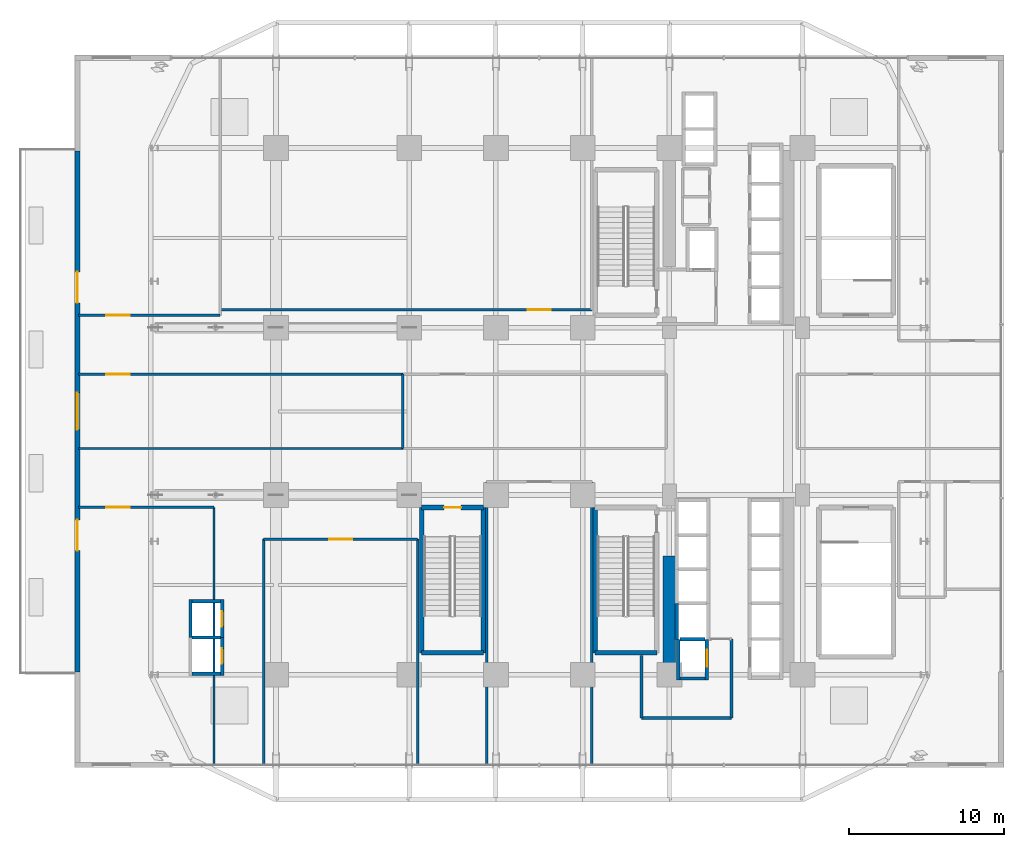
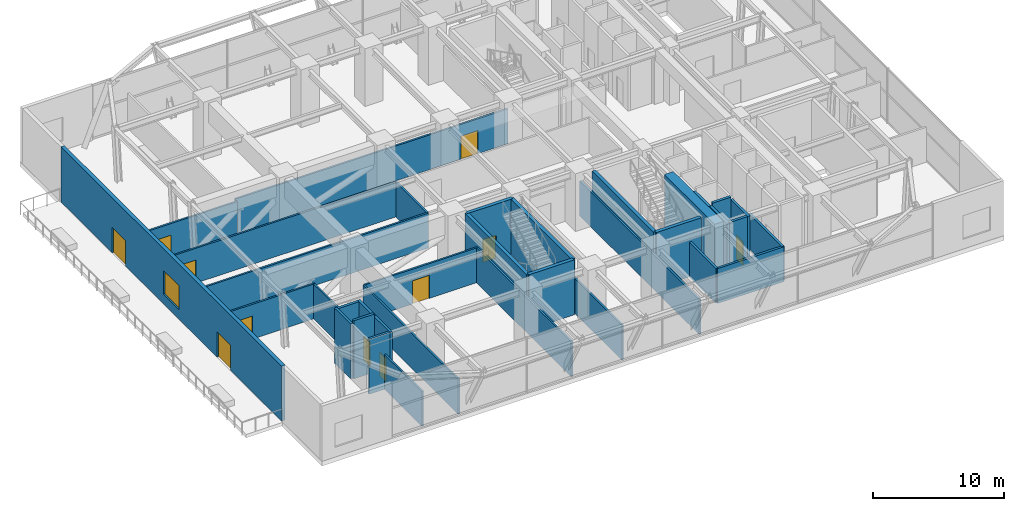
# One storey, part 20 of 29: 34 walls, 11 doors, 1 window, 12 openings.
"""IFC4 building model written with IfcOpenShell, lengths in metres."""

from ifc_helpers import new_model, si_unit, direction, frame, frame_2d, origin, place, context, subcontext, project, spatial, rectangle, extrude, source, transform, mapped, material, layer, layer_set, type_object, element, fill, save


model = new_model("IFC4")

# Units and contexts
model_context = context("Model", 3, precision=1e-05, world=origin(), true_north=direction((0.0, 1.0)))
body_context = subcontext(model_context, "Body", "Model", "MODEL_VIEW")
ifc_project = project(units=[si_unit("LENGTHUNIT", "METRE"), si_unit("AREAUNIT", "SQUARE_METRE"), si_unit("VOLUMEUNIT", "CUBIC_METRE"), si_unit("PLANEANGLEUNIT", "RADIAN"), si_unit("MASSUNIT", "GRAM", prefix="KILO")], contexts=[model_context])

# Site, building, storey
site_placement = place(None, origin())
site = spatial("IfcSite", under=ifc_project, at=site_placement, CompositionType="ELEMENT")
building_placement = place(site_placement, origin())
building = spatial("IfcBuilding", under=site, at=building_placement, Name="Nahalor Promenade Grand Hotel", CompositionType="ELEMENT")
storey_placement = place(building_placement, frame((0.0, 0.0, 27.0)))
storey = spatial("IfcBuildingStorey", under=building, at=storey_placement, Name="L05", CompositionType="ELEMENT", Elevation=27.0)

# Walls
ifc_material_1 = material(Name="Concrete B-70 (C60/75)", Category="concrete")
ifc_layer_1 = layer(ifc_material_1, 0.800048828125)
ifc_layer_set_1 = layer_set([ifc_layer_1], Name="Concrete B-70 (C60/75)")
wall_type_1 = type_object("IfcWallType", Name="Wall-CoreShear-800", PredefinedType="SHEAR", material=ifc_layer_set_1)
shared_shape_1 = source(origin(), body_context, "Body", "SweptSolid", [
    extrude(rectangle(XDim=7.64990234375, YDim=0.800048828125, at=frame_2d((3.824951171875, 0.0))), origin(), (0.0, 0.0, 1.0), 5.1201171875),
])
wall_1_placement = place(storey_placement, frame((8.39990234375, -17.0, 0.0), z_axis=(0.0, 0.0, 1.0), x_axis=(0.0, 1.0, 0.0)))
element("IfcWall", 1, at=wall_1_placement, inside=storey, type_object=wall_type_1, Name="CWALL-L05-SW", PredefinedType="SHEAR", context=body_context, shape_type="MappedRepresentation", body=[
    mapped(shared_shape_1, transform((0.0, 0.0, 0.0), scale=1.0)),
])
ifc_material_2 = material(Name="Concrete B-50 (C40/50)", Category="concrete")
ifc_layer_2 = layer(ifc_material_2, 0.300048828125)
ifc_layer_set_2 = layer_set([ifc_layer_2], Name="Concrete B-50 (C40/50)")
wall_type_2 = type_object("IfcWallType", Name="Wall-ShaftShear-300", PredefinedType="SHEAR", material=ifc_layer_set_2)
shared_shape_2 = source(origin(), body_context, "Body", "SweptSolid", [
    extrude(rectangle(XDim=3.97998046875, YDim=0.300048828125, at=frame_2d((1.989990234375, 0.0))), origin(), (0.0, 0.0, 1.0), 5.1201171875),
])
for number, where, z_axis, x_axis, name in (
    (2, (3.610107421875, -15.590087890625, 0.0), (0.0, 0.0, 1.0), (1.0, 0.0, 0.0), "L05 Exit Stair ST2 Shaft Wall S"),
    (3, (-7.590087890625, -15.590087890625, 0.0), (0.0, 0.0, 1.0), (1.0, 0.0, 0.0), "L05 Exit Stair ST3 Shaft Wall S"),
):
    element("IfcWall", number, at=place(storey_placement, frame(where, z_axis=z_axis, x_axis=x_axis)), inside=storey, type_object=wall_type_2, Name=name, PredefinedType="SHEAR", context=body_context, shape_type="MappedRepresentation", body=[
        mapped(shared_shape_2, transform((0.0, 0.0, 0.0), scale=1.0)),
    ])

# Wall, opening, door
wall_2_placement = place(storey_placement, frame((-7.590087890625, -6.2099609375, 0.0), z_axis=(0.0, 0.0, 1.0), x_axis=(1.0, 0.0, 0.0)))
wall_2 = element("IfcWall", 4, at=wall_2_placement, inside=storey, type_object=wall_type_2, Name="L05 Exit Stair ST3 Shaft Wall N", PredefinedType="SHEAR", context=body_context, shape_type="MappedRepresentation", body=[
    mapped(shared_shape_2, transform((0.0, 0.0, 0.0), scale=1.0)),
])
opening_1_placement = place(wall_2_placement, frame((1.43994140625, 0.0, 0.0)))
opening_1 = element("IfcOpeningElement", 5, at=opening_1_placement, cuts=wall_2, Name="Opening D-ST1", PredefinedType="OPENING", context=body_context, shape_type="SweptSolid", body=[
    extrude(rectangle(XDim=1.10009765625, YDim=2.14990234375, at=frame_2d((0.550048828125, 1.074951171875))), frame((0.0, 0.159912109375, 0.0), z_axis=(0.0, -1.0, 0.0), x_axis=(1.0, 0.0, 0.0)), (0.0, 0.0, 1.0), 0.320068359375),
])
ifc_material_3 = material(Name="Steel S355JR", Category="steel")
door_type_1 = type_object("IfcDoorType", Name="Door-StairFire-1100", OperationType="NOTDEFINED", PredefinedType="DOOR", material=ifc_material_3)
shared_shape_3 = source(origin(), body_context, "Body", "SweptSolid", [
    extrude(rectangle(XDim=1.10009765625, YDim=2.14990234375, at=frame_2d((0.550048828125, 1.074951171875))), frame((0.0, 0.02490234375, 0.0), z_axis=(0.0, -1.0, 0.0), x_axis=(1.0, 0.0, 0.0)), (0.0, 0.0, 1.0), 0.050048828125),
])
door_1_placement = place(opening_1_placement, frame((1.10009765625, 0.0, 0.0), z_axis=(0.0, 0.0, 1.0), x_axis=(-1.0, 0.0, 0.0)))
door_1 = element("IfcDoor", 6, at=door_1_placement, inside=storey, type_object=door_type_1, Name="DR-STAIR-ST3-L05", OperationType="SINGLE_SWING_RIGHT", OverallHeight=2.14990234375, OverallWidth=1.10009765625, PredefinedType="DOOR", context=body_context, shape_type="MappedRepresentation", body=[
    mapped(shared_shape_3, transform((0.0, 0.0, 0.0), scale=1.0)),
])
fill(opening_1, door_1)

# Walls
shared_shape_4 = source(origin(), body_context, "Body", "SweptSolid", [
    extrude(rectangle(XDim=9.380126953125, YDim=0.300048828125, at=frame_2d((4.68994140625, 0.0))), origin(), (0.0, 0.0, 1.0), 5.1201171875),
])
for number, where, z_axis, x_axis, name in (
    (7, (3.610107421875, -15.590087890625, 0.0), (0.0, 0.0, 1.0), (0.0, 1.0, 0.0), "L05 Exit Stair ST2 Shaft Wall W"),
    (8, (-7.590087890625, -15.590087890625, 0.0), (0.0, 0.0, 1.0), (0.0, 1.0, 0.0), "L05 Exit Stair ST3 Shaft Wall W"),
    (9, (-3.610107421875, -15.590087890625, 0.0), (0.0, 0.0, 1.0), (0.0, 1.0, 0.0), "L05 Exit Stair ST3 Shaft Wall E"),
):
    element("IfcWall", number, at=place(storey_placement, frame(where, z_axis=z_axis, x_axis=x_axis)), inside=storey, type_object=wall_type_2, Name=name, PredefinedType="SHEAR", context=body_context, shape_type="MappedRepresentation", body=[
        mapped(shared_shape_4, transform((0.0, 0.0, 0.0), scale=1.0)),
    ])
ifc_layer_3 = layer(ifc_material_2, 0.219970703125)
ifc_layer_set_3 = layer_set([ifc_layer_3], Name="Concrete B-50 (C40/50)")
wall_type_3 = type_object("IfcWallType", Name="Wall-LiftShaft-220", PredefinedType="SHEAR", material=ifc_layer_set_3)
shared_shape_5 = source(origin(), body_context, "Body", "SweptSolid", [
    extrude(rectangle(XDim=2.3251953125, YDim=0.219970703125, at=frame_2d((1.16259765625, 0.0))), origin(), (0.0, 0.0, 1.0), 5.1201171875),
])
wall_3_placement = place(storey_placement, frame((8.8798828125, -14.72509765625, 0.0), z_axis=(0.0, 0.0, 1.0), x_axis=(0.0, 1.0, 0.0)))
element("IfcWall", 10, at=wall_3_placement, inside=storey, type_object=wall_type_3, Name="L05 Lift PL12 Hoistway Wall W", PredefinedType="SHEAR", context=body_context, shape_type="MappedRepresentation", body=[
    mapped(shared_shape_5, transform((0.0, 0.0, 0.0), scale=1.0)),
])
shared_shape_6 = source(origin(), body_context, "Body", "SweptSolid", [
    extrude(rectangle(XDim=1.619873046875, YDim=0.219970703125, at=frame_2d((0.81005859375, 0.0))), origin(), (0.0, 0.0, 1.0), 5.39990234375),
])
wall_4_placement = place(storey_placement, frame((9.090087890625, -14.72509765625, 0.0), z_axis=(0.0, 0.0, 1.0), x_axis=(1.0, 0.0, 0.0)))
element("IfcWall", 11, at=wall_4_placement, inside=storey, type_object=wall_type_3, Name="L05 Lift FL2 Hoistway Wall N", PredefinedType="SHEAR", context=body_context, shape_type="MappedRepresentation", body=[
    mapped(shared_shape_6, transform((0.0, 0.0, 0.0), scale=1.0)),
])
shared_shape_7 = source(origin(), body_context, "Body", "SweptSolid", [
    extrude(rectangle(XDim=2.635009765625, YDim=0.219970703125, at=frame_2d((1.3173828125, 0.0))), origin(), (0.0, 0.0, 1.0), 5.1201171875),
])
wall_5_placement = place(storey_placement, frame((8.97998046875, -17.360107421875, 0.0), z_axis=(0.0, 0.0, 1.0), x_axis=(0.0, 1.0, 0.0)))
element("IfcWall", 12, at=wall_5_placement, inside=storey, type_object=wall_type_3, Name="L05 Lift FL2 Hoistway Wall W", PredefinedType="SHEAR", context=body_context, shape_type="MappedRepresentation", body=[
    mapped(shared_shape_7, transform((0.0, 0.0, 0.0), scale=1.0)),
])

# Wall, opening, door
wall_6_placement = place(storey_placement, frame((10.820068359375, -17.360107421875, 0.0), z_axis=(0.0, 0.0, 1.0), x_axis=(0.0, 1.0, 0.0)))
wall_6 = element("IfcWall", 13, at=wall_6_placement, inside=storey, type_object=wall_type_3, Name="L05 Lift FL2 Hoistway Wall E", PredefinedType="SHEAR", context=body_context, shape_type="MappedRepresentation", body=[
    mapped(shared_shape_7, transform((0.0, 0.0, 0.0), scale=1.0)),
])
opening_2_placement = place(wall_6_placement, frame((0.860107421875, 0.0, 0.0)))
opening_2 = element("IfcOpeningElement", 14, at=opening_2_placement, cuts=wall_6, Name="Opening LD-02", PredefinedType="OPENING", context=body_context, shape_type="SweptSolid", body=[
    extrude(rectangle(XDim=1.10009765625, YDim=2.199951171875, at=frame_2d((0.550048828125, 1.10009765625))), frame((0.0, 0.119873046875, 0.0), z_axis=(0.0, -1.0, 0.0), x_axis=(1.0, 0.0, 0.0)), (0.0, 0.0, 1.0), 0.239990234375),
])
door_type_2 = type_object("IfcDoorType", Name="Door-LiftFF-1100", OperationType="DOUBLE_DOOR_SLIDING", PredefinedType="DOOR", material=ifc_material_3)
shared_shape_8 = source(origin(), body_context, "Body", "SweptSolid", [
    extrude(rectangle(XDim=1.10009765625, YDim=2.199951171875, at=frame_2d((0.550048828125, 1.10009765625))), frame((0.0, 0.02490234375, 0.0), z_axis=(0.0, -1.0, 0.0), x_axis=(1.0, 0.0, 0.0)), (0.0, 0.0, 1.0), 0.050048828125),
])
door_2_placement = place(opening_2_placement, frame((1.10009765625, 0.0, 0.0), z_axis=(0.0, 0.0, 1.0), x_axis=(-1.0, 0.0, 0.0)))
door_2 = element("IfcDoor", 15, at=door_2_placement, inside=storey, type_object=door_type_2, Name="DR-LIFT-FL2-L05", OperationType="DOUBLE_DOOR_SLIDING", OverallHeight=2.199951171875, OverallWidth=1.10009765625, PredefinedType="DOOR", context=body_context, shape_type="MappedRepresentation", body=[
    mapped(shared_shape_8, transform((0.0, 0.0, 0.0), scale=1.0)),
])
fill(opening_2, door_2)

# Walls
shared_shape_9 = source(origin(), body_context, "Body", "SweptSolid", [
    extrude(rectangle(XDim=1.619873046875, YDim=0.219970703125, at=frame_2d((0.81005859375, 0.0))), origin(), (0.0, 0.0, 1.0), 5.1201171875),
])
wall_7_placement = place(storey_placement, frame((9.090087890625, -17.25, 0.0), z_axis=(0.0, 0.0, 1.0), x_axis=(1.0, 0.0, 0.0)))
element("IfcWall", 16, at=wall_7_placement, inside=storey, type_object=wall_type_3, Name="L05 Lift FL2 Hoistway Wall S", PredefinedType="SHEAR", context=body_context, shape_type="MappedRepresentation", body=[
    mapped(shared_shape_9, transform((0.0, 0.0, 0.0), scale=1.0)),
])
shared_shape_10 = source(origin(), body_context, "Body", "SweptSolid", [
    extrude(rectangle(XDim=1.81982421875, YDim=0.219970703125, at=frame_2d((0.909912109375, 0.0))), origin(), (0.0, 0.0, 1.0), 5.39990234375),
])
wall_8_placement = place(storey_placement, frame((-22.409912109375, -14.60009765625, 0.0), z_axis=(0.0, 0.0, 1.0), x_axis=(1.0, 0.0, 0.0)))
element("IfcWall", 17, at=wall_8_placement, inside=storey, type_object=wall_type_3, Name="L05 Lift PD1 Hoistway Wall N", PredefinedType="SHEAR", context=body_context, shape_type="MappedRepresentation", body=[
    mapped(shared_shape_10, transform((0.0, 0.0, 0.0), scale=1.0)),
])

# Wall, opening, door
shared_shape_11 = source(origin(), body_context, "Body", "SweptSolid", [
    extrude(rectangle(XDim=2.4599609375, YDim=0.219970703125, at=frame_2d((1.22998046875, 0.0))), origin(), (0.0, 0.0, 1.0), 5.1201171875),
])
wall_9_placement = place(storey_placement, frame((-20.47998046875, -17.06005859375, 0.0), z_axis=(0.0, 0.0, 1.0), x_axis=(0.0, 1.0, 0.0)))
wall_9 = element("IfcWall", 18, at=wall_9_placement, inside=storey, type_object=wall_type_3, Name="L05 Lift PD1 Hoistway Wall E", PredefinedType="SHEAR", context=body_context, shape_type="MappedRepresentation", body=[
    mapped(shared_shape_11, transform((0.0, 0.0, 0.0), scale=1.0)),
])
opening_3_placement = place(wall_9_placement, frame((0.760009765625, 0.0, 0.0)))
opening_3 = element("IfcOpeningElement", 19, at=opening_3_placement, cuts=wall_9, Name="Opening LD-01", PredefinedType="OPENING", context=body_context, shape_type="SweptSolid", body=[
    extrude(rectangle(XDim=1.0, YDim=2.199951171875, at=frame_2d((0.5, 1.10009765625))), frame((0.0, 0.119873046875, 0.0), z_axis=(0.0, -1.0, 0.0), x_axis=(1.0, 0.0, 0.0)), (0.0, 0.0, 1.0), 0.239990234375),
])
door_type_3 = type_object("IfcDoorType", Name="Door-LiftLanding-1000", OperationType="DOUBLE_DOOR_SLIDING", PredefinedType="DOOR", material=ifc_material_3)
shared_shape_12 = source(origin(), body_context, "Body", "SweptSolid", [
    extrude(rectangle(XDim=1.0, YDim=2.199951171875, at=frame_2d((0.5, 1.10009765625))), frame((0.0, 0.02490234375, 0.0), z_axis=(0.0, -1.0, 0.0), x_axis=(1.0, 0.0, 0.0)), (0.0, 0.0, 1.0), 0.050048828125),
])
door_3_placement = place(opening_3_placement, frame((1.0, 0.0, 0.0), z_axis=(0.0, 0.0, 1.0), x_axis=(-1.0, 0.0, 0.0)))
door_3 = element("IfcDoor", 20, at=door_3_placement, inside=storey, type_object=door_type_3, Name="DR-LIFT-PD1-L05", OperationType="DOUBLE_DOOR_SLIDING", OverallHeight=2.199951171875, OverallWidth=1.0, PredefinedType="DOOR", context=body_context, shape_type="MappedRepresentation", body=[
    mapped(shared_shape_12, transform((0.0, 0.0, 0.0), scale=1.0)),
])
fill(opening_3, door_3)

# Walls
shared_shape_13 = source(origin(), body_context, "Body", "SweptSolid", [
    extrude(rectangle(XDim=1.81982421875, YDim=0.219970703125, at=frame_2d((0.909912109375, 0.0))), origin(), (0.0, 0.0, 1.0), 5.1201171875),
])
for number, where, z_axis, x_axis, name in (
    (21, (-22.409912109375, -16.949951171875, 0.0), (0.0, 0.0, 1.0), (1.0, 0.0, 0.0), "L05 Lift PD1 Hoistway Wall S"),
    (22, (-22.409912109375, -12.25, 0.0), (0.0, 0.0, 1.0), (1.0, 0.0, 0.0), "L05 Lift PD2 Hoistway Wall N"),
):
    element("IfcWall", number, at=place(storey_placement, frame(where, z_axis=z_axis, x_axis=x_axis)), inside=storey, type_object=wall_type_3, Name=name, PredefinedType="SHEAR", context=body_context, shape_type="MappedRepresentation", body=[
        mapped(shared_shape_13, transform((0.0, 0.0, 0.0), scale=1.0)),
    ])
shared_shape_14 = source(origin(), body_context, "Body", "SweptSolid", [
    extrude(rectangle(XDim=2.460205078125, YDim=0.219970703125, at=frame_2d((1.22998046875, 0.0))), origin(), (0.0, 0.0, 1.0), 5.1201171875),
])
wall_10_placement = place(storey_placement, frame((-22.52001953125, -14.60009765625, 0.0), z_axis=(0.0, 0.0, 1.0), x_axis=(0.0, 1.0, 0.0)))
element("IfcWall", 23, at=wall_10_placement, inside=storey, type_object=wall_type_3, Name="L05 Lift PD2 Hoistway Wall W", PredefinedType="SHEAR", context=body_context, shape_type="MappedRepresentation", body=[
    mapped(shared_shape_14, transform((0.0, 0.0, 0.0), scale=1.0)),
])

# Wall, opening, door
wall_11_placement = place(storey_placement, frame((-20.47998046875, -14.60009765625, 0.0), z_axis=(0.0, 0.0, 1.0), x_axis=(0.0, 1.0, 0.0)))
wall_11 = element("IfcWall", 24, at=wall_11_placement, inside=storey, type_object=wall_type_3, Name="L05 Lift PD2 Hoistway Wall E", PredefinedType="SHEAR", context=body_context, shape_type="MappedRepresentation", body=[
    mapped(shared_shape_14, transform((0.0, 0.0, 0.0), scale=1.0)),
])
opening_4_placement = place(wall_11_placement, frame((0.699951171875, 0.0, 0.0)))
opening_4 = element("IfcOpeningElement", 25, at=opening_4_placement, cuts=wall_11, Name="Opening LD-01", PredefinedType="OPENING", context=body_context, shape_type="SweptSolid", body=[
    extrude(rectangle(XDim=1.0, YDim=2.199951171875, at=frame_2d((0.5, 1.10009765625))), frame((0.0, 0.119873046875, 0.0), z_axis=(0.0, -1.0, 0.0), x_axis=(1.0, 0.0, 0.0)), (0.0, 0.0, 1.0), 0.239990234375),
])
door_4_placement = place(opening_4_placement, frame((1.0, 0.0, 0.0), z_axis=(0.0, 0.0, 1.0), x_axis=(-1.0, 0.0, 0.0)))
door_4 = element("IfcDoor", 26, at=door_4_placement, inside=storey, type_object=door_type_3, Name="DR-LIFT-PD2-L05", OperationType="DOUBLE_DOOR_SLIDING", OverallHeight=2.199951171875, OverallWidth=1.0, PredefinedType="DOOR", context=body_context, shape_type="MappedRepresentation", body=[
    mapped(shared_shape_12, transform((0.0, 0.0, 0.0), scale=1.0)),
])
fill(opening_4, door_4)

# Wall, openings, window, doors
ifc_material_4 = material(Name="Concrete B-40 (C32/40)", Category="concrete")
ifc_layer_4 = layer(ifc_material_4, 0.320068359375)
ifc_layer_set_4 = layer_set([ifc_layer_4], Name="Concrete B-40 (C32/40)")
wall_type_4 = type_object("IfcWallType", Name="Wall-LimestonePier-320", PredefinedType="STANDARD", material=ifc_layer_set_4)
shared_shape_15 = source(origin(), body_context, "Body", "SweptSolid", [
    extrude(rectangle(XDim=33.64013671875, YDim=0.320068359375, at=frame_2d((16.820068359375, 0.0))), origin(), (0.0, 0.0, 1.0), 5.1201171875),
])
wall_12_placement = place(storey_placement, frame((-29.820068359375, -16.820068359375, 0.0), z_axis=(0.0, 0.0, 1.0), x_axis=(0.0, 1.0, 0.0)))
wall_12 = element("IfcWall", 27, at=wall_12_placement, inside=storey, type_object=wall_type_4, Name="W-L05-TERR-W", PredefinedType="STANDARD", context=body_context, shape_type="MappedRepresentation", body=[
    mapped(shared_shape_15, transform((0.0, 0.0, 0.0), scale=1.0)),
])
opening_5_placement = place(wall_12_placement, frame((7.820068359375, 0.0, 0.0)))
opening_5 = element("IfcOpeningElement", 28, at=opening_5_placement, cuts=wall_12, Name="Opening D-TR1", PredefinedType="OPENING", context=body_context, shape_type="SweptSolid", body=[
    extrude(rectangle(XDim=2.0, YDim=2.35009765625, at=frame_2d((1.0, 1.175048828125))), frame((0.0, 0.169921875, 0.0), z_axis=(0.0, -1.0, 0.0), x_axis=(1.0, 0.0, 0.0)), (0.0, 0.0, 1.0), 0.340087890625),
])
opening_6_placement = place(wall_12_placement, frame((23.820068359375, 0.0, 0.0)))
opening_6 = element("IfcOpeningElement", 29, at=opening_6_placement, cuts=wall_12, Name="Opening D-TR1", PredefinedType="OPENING", context=body_context, shape_type="SweptSolid", body=[
    extrude(rectangle(XDim=2.0, YDim=2.35009765625, at=frame_2d((1.0, 1.175048828125))), frame((0.0, 0.169921875, 0.0), z_axis=(0.0, -1.0, 0.0), x_axis=(1.0, 0.0, 0.0)), (0.0, 0.0, 1.0), 0.340087890625),
])
opening_7_placement = place(wall_12_placement, frame((15.6201171875, 0.0, 0.89990234375)))
opening_7 = element("IfcOpeningElement", 30, at=opening_7_placement, cuts=wall_12, Name="Opening WN-02", PredefinedType="OPENING", context=body_context, shape_type="SweptSolid", body=[
    extrude(rectangle(XDim=2.39990234375, YDim=2.199951171875, at=frame_2d((1.199951171875, 1.10009765625))), frame((0.0, 0.169921875, 0.0), z_axis=(0.0, -1.0, 0.0), x_axis=(1.0, 0.0, 0.0)), (0.0, 0.0, 1.0), 0.340087890625),
])
ifc_material_5 = material(Name="Low-E Laminated Solar Glass", Category="glass")
window_type = type_object("IfcWindowType", Name="Win-PodiumArch-2400x2200", PartitioningType="SINGLE_PANEL", PredefinedType="WINDOW", material=ifc_material_5)
shared_shape_16 = source(origin(), body_context, "Body", "SweptSolid", [
    extrude(rectangle(XDim=2.39990234375, YDim=2.199951171875, at=frame_2d((1.199951171875, 1.10009765625))), frame((0.0, 0.030029296875, 0.0), z_axis=(0.0, -1.0, 0.0), x_axis=(1.0, 0.0, 0.0)), (0.0, 0.0, 1.0), 0.06005859375),
])
window_placement = place(opening_7_placement, origin())
window = element("IfcWindow", 31, at=window_placement, inside=storey, type_object=window_type, Name="WN-L05-TERR-M", OverallHeight=2.199951171875, OverallWidth=2.39990234375, PartitioningType="SINGLE_PANEL", PredefinedType="WINDOW", context=body_context, shape_type="MappedRepresentation", body=[
    mapped(shared_shape_16, transform((0.0, 0.0, 0.0), scale=1.0)),
])
fill(opening_7, window)
ifc_material_6 = material(Name="Anodised Bronze Aluminium EN AW-6063 T6", Category="aluminium")
door_type_4 = type_object("IfcDoorType", Name="Door-TerraceDouble-2000", OperationType="DOUBLE_DOOR_SINGLE_SWING", PredefinedType="DOOR", material=ifc_material_6)
shared_shape_17 = source(origin(), body_context, "Body", "SweptSolid", [
    extrude(rectangle(XDim=2.0, YDim=2.35009765625, at=frame_2d((1.0, 1.175048828125))), frame((0.0, 0.02490234375, 0.0), z_axis=(0.0, -1.0, 0.0), x_axis=(1.0, 0.0, 0.0)), (0.0, 0.0, 1.0), 0.050048828125),
])
door_5_placement = place(opening_5_placement, origin())
door_5 = element("IfcDoor", 32, at=door_5_placement, inside=storey, type_object=door_type_4, Name="DR-L05-TERR-1", OperationType="DOUBLE_DOOR_SINGLE_SWING", OverallHeight=2.35009765625, OverallWidth=2.0, PredefinedType="DOOR", context=body_context, shape_type="MappedRepresentation", body=[
    mapped(shared_shape_17, transform((0.0, 0.0, 0.0), scale=1.0)),
])
fill(opening_5, door_5)
door_6_placement = place(opening_6_placement, origin())
door_6 = element("IfcDoor", 33, at=door_6_placement, inside=storey, type_object=door_type_4, Name="DR-L05-TERR-2", OperationType="DOUBLE_DOOR_SINGLE_SWING", OverallHeight=2.35009765625, OverallWidth=2.0, PredefinedType="DOOR", context=body_context, shape_type="MappedRepresentation", body=[
    mapped(shared_shape_17, transform((0.0, 0.0, 0.0), scale=1.0)),
])
fill(opening_6, door_6)

# Walls
ifc_layer_5 = layer(ifc_material_4, 0.199951171875)
ifc_layer_set_5 = layer_set([ifc_layer_5], Name="Concrete B-40 (C32/40)")
wall_type_5 = type_object("IfcWallType", Name="Wall-PartFire-200", PredefinedType="PARTITIONING", material=ifc_layer_set_5)
shared_shape_18 = source(origin(), body_context, "Body", "SweptSolid", [
    extrude(rectangle(XDim=5.81982421875, YDim=0.199951171875, at=frame_2d((2.909912109375, 0.0))), origin(), (0.0, 0.0, 1.0), 3.239990234375),
])
wall_13_placement = place(storey_placement, frame((6.60009765625, -19.800048828125, 0.0), z_axis=(0.0, 0.0, 1.0), x_axis=(1.0, 0.0, 0.0)))
element("IfcWall", 34, at=wall_13_placement, inside=storey, type_object=wall_type_5, Name="W-L05-FF2-S1", PredefinedType="PARTITIONING", context=body_context, shape_type="MappedRepresentation", body=[
    mapped(shared_shape_18, transform((0.0, 0.0, 0.0), scale=1.0)),
])
shared_shape_19 = source(origin(), body_context, "Body", "SweptSolid", [
    extrude(rectangle(XDim=4.030029296875, YDim=0.199951171875, at=frame_2d((2.01513671875, 0.0))), origin(), (0.0, 0.0, 1.0), 3.239990234375),
])
wall_14_placement = place(storey_placement, frame((6.60009765625, -19.800048828125, 0.0), z_axis=(0.0, 0.0, 1.0), x_axis=(0.0, 1.0, 0.0)))
element("IfcWall", 35, at=wall_14_placement, inside=storey, type_object=wall_type_5, Name="W-L05-FF2-W1", PredefinedType="PARTITIONING", context=body_context, shape_type="MappedRepresentation", body=[
    mapped(shared_shape_19, transform((0.0, 0.0, 0.0), scale=1.0)),
])
shared_shape_20 = source(origin(), body_context, "Body", "SweptSolid", [
    extrude(rectangle(XDim=5.10009765625, YDim=0.199951171875, at=frame_2d((2.550048828125, 0.0))), origin(), (0.0, 0.0, 1.0), 3.239990234375),
])
wall_15_placement = place(storey_placement, frame((12.419921875, -19.800048828125, 0.0), z_axis=(0.0, 0.0, 1.0), x_axis=(0.0, 1.0, 0.0)))
element("IfcWall", 36, at=wall_15_placement, inside=storey, type_object=wall_type_5, Name="W-L05-FF2-E", PredefinedType="PARTITIONING", context=body_context, shape_type="MappedRepresentation", body=[
    mapped(shared_shape_20, transform((0.0, 0.0, 0.0), scale=1.0)),
])
ifc_material_7 = material(Name="Acoustic Mineral Gypsum", Category="gypsum")
ifc_layer_6 = layer(ifc_material_7, 0.159912109375)
ifc_layer_set_6 = layer_set([ifc_layer_6], Name="Acoustic Mineral Gypsum")
wall_type_6 = type_object("IfcWallType", Name="Wall-PartCorridor-160", PredefinedType="PARTITIONING", material=ifc_layer_set_6)
shared_shape_21 = source(origin(), body_context, "Body", "SweptSolid", [
    extrude(rectangle(XDim=20.9599609375, YDim=0.159912109375, at=frame_2d((10.47998046875, 0.0))), origin(), (0.0, 0.0, 1.0), 3.239990234375),
])
wall_16_placement = place(storey_placement, frame((-29.760009765625, -2.39990234375, 0.0), z_axis=(0.0, 0.0, 1.0), x_axis=(1.0, 0.0, 0.0)))
element("IfcWall", 37, at=wall_16_placement, inside=storey, type_object=wall_type_6, Name="W-L05-PR01-S", PredefinedType="PARTITIONING", context=body_context, shape_type="MappedRepresentation", body=[
    mapped(shared_shape_21, transform((0.0, 0.0, 0.0), scale=1.0)),
])

# Wall, opening, door
wall_17_placement = place(storey_placement, frame((-29.760009765625, 2.39990234375, 0.0), z_axis=(0.0, 0.0, 1.0), x_axis=(1.0, 0.0, 0.0)))
wall_17 = element("IfcWall", 38, at=wall_17_placement, inside=storey, type_object=wall_type_6, Name="W-L05-PR01-N", PredefinedType="PARTITIONING", context=body_context, shape_type="MappedRepresentation", body=[
    mapped(shared_shape_21, transform((0.0, 0.0, 0.0), scale=1.0)),
])
opening_8_placement = place(wall_17_placement, frame((1.81005859375, 0.0, 0.0)))
opening_8 = element("IfcOpeningElement", 39, at=opening_8_placement, cuts=wall_17, Name="Opening D-02", PredefinedType="OPENING", context=body_context, shape_type="SweptSolid", body=[
    extrude(rectangle(XDim=1.5, YDim=2.14990234375, at=frame_2d((0.75, 1.074951171875))), frame((0.0, 0.08984375, 0.0), z_axis=(0.0, -1.0, 0.0), x_axis=(1.0, 0.0, 0.0)), (0.0, 0.0, 1.0), 0.179931640625),
])
ifc_material_8 = material(Name="Fire-Rated Timber Composite", Category="wood")
door_type_5 = type_object("IfcDoorType", Name="Door-SuiteDouble-1500", OperationType="DOUBLE_DOOR_SINGLE_SWING", PredefinedType="DOOR", material=ifc_material_8)
shared_shape_22 = source(origin(), body_context, "Body", "SweptSolid", [
    extrude(rectangle(XDim=1.5, YDim=2.14990234375, at=frame_2d((0.75, 1.074951171875))), frame((0.0, 0.02490234375, 0.0), z_axis=(0.0, -1.0, 0.0), x_axis=(1.0, 0.0, 0.0)), (0.0, 0.0, 1.0), 0.050048828125),
])
door_7_placement = place(opening_8_placement, frame((1.5, 0.0, 0.0), z_axis=(0.0, 0.0, 1.0), x_axis=(-1.0, 0.0, 0.0)))
door_7 = element("IfcDoor", 40, at=door_7_placement, inside=storey, type_object=door_type_5, Name="DR-L05-PR01", OperationType="DOUBLE_DOOR_SINGLE_SWING", OverallHeight=2.14990234375, OverallWidth=1.5, PredefinedType="DOOR", context=body_context, shape_type="MappedRepresentation", body=[
    mapped(shared_shape_22, transform((0.0, 0.0, 0.0), scale=1.0)),
])
fill(opening_8, door_7)

# Wall
shared_shape_23 = source(origin(), body_context, "Body", "SweptSolid", [
    extrude(rectangle(XDim=4.7998046875, YDim=0.159912109375, at=frame_2d((2.39990234375, 0.0))), origin(), (0.0, 0.0, 1.0), 3.239990234375),
])
wall_18_placement = place(storey_placement, frame((-8.800048828125, -2.39990234375, 0.0), z_axis=(0.0, 0.0, 1.0), x_axis=(0.0, 1.0, 0.0)))
element("IfcWall", 41, at=wall_18_placement, inside=storey, type_object=wall_type_6, Name="W-L05-PR01-E", PredefinedType="PARTITIONING", context=body_context, shape_type="MappedRepresentation", body=[
    mapped(shared_shape_23, transform((0.0, 0.0, 0.0), scale=1.0)),
])

# Wall, opening, door
shared_shape_24 = source(origin(), body_context, "Body", "SweptSolid", [
    extrude(rectangle(XDim=9.159912109375, YDim=0.159912109375, at=frame_2d((4.580078125, 0.0))), origin(), (0.0, 0.0, 1.0), 3.239990234375),
])
wall_19_placement = place(storey_placement, frame((-29.760009765625, 6.199951171875, 0.0), z_axis=(0.0, 0.0, 1.0), x_axis=(1.0, 0.0, 0.0)))
wall_19 = element("IfcWall", 42, at=wall_19_placement, inside=storey, type_object=wall_type_6, Name="W-L05-PR04-S", PredefinedType="PARTITIONING", context=body_context, shape_type="MappedRepresentation", body=[
    mapped(shared_shape_24, transform((0.0, 0.0, 0.0), scale=1.0)),
])
opening_9_placement = place(wall_19_placement, frame((1.81005859375, 0.0, 0.0)))
opening_9 = element("IfcOpeningElement", 43, at=opening_9_placement, cuts=wall_19, Name="Opening D-02", PredefinedType="OPENING", context=body_context, shape_type="SweptSolid", body=[
    extrude(rectangle(XDim=1.5, YDim=2.14990234375, at=frame_2d((0.75, 1.074951171875))), frame((0.0, 0.08984375, 0.0), z_axis=(0.0, -1.0, 0.0), x_axis=(1.0, 0.0, 0.0)), (0.0, 0.0, 1.0), 0.179931640625),
])
door_8_placement = place(opening_9_placement, origin())
door_8 = element("IfcDoor", 44, at=door_8_placement, inside=storey, type_object=door_type_5, Name="DR-L05-PR04", OperationType="DOUBLE_DOOR_SINGLE_SWING", OverallHeight=2.14990234375, OverallWidth=1.5, PredefinedType="DOOR", context=body_context, shape_type="MappedRepresentation", body=[
    mapped(shared_shape_22, transform((0.0, 0.0, 0.0), scale=1.0)),
])
fill(opening_9, door_8)

# Wall
shared_shape_25 = source(origin(), body_context, "Body", "SweptSolid", [
    extrude(rectangle(XDim=16.56005859375, YDim=0.159912109375, at=frame_2d((8.280029296875, 0.0))), origin(), (0.0, 0.0, 1.0), 3.239990234375),
])
wall_20_placement = place(storey_placement, frame((-21.0, -22.760009765625, 0.0), z_axis=(0.0, 0.0, 1.0), x_axis=(0.0, 1.0, 0.0)))
element("IfcWall", 45, at=wall_20_placement, inside=storey, type_object=wall_type_6, Name="W-L05-PR06-E", PredefinedType="PARTITIONING", context=body_context, shape_type="MappedRepresentation", body=[
    mapped(shared_shape_25, transform((0.0, 0.0, 0.0), scale=1.0)),
])

# Wall, opening, door
shared_shape_26 = source(origin(), body_context, "Body", "SweptSolid", [
    extrude(rectangle(XDim=24.0, YDim=0.159912109375, at=frame_2d((12.0, 0.0))), origin(), (0.0, 0.0, 1.0), 3.239990234375),
])
wall_21_placement = place(storey_placement, frame((-20.60009765625, 6.550048828125, 0.0), z_axis=(0.0, 0.0, 1.0), x_axis=(1.0, 0.0, 0.0)))
wall_21 = element("IfcWall", 46, at=wall_21_placement, inside=storey, type_object=wall_type_6, Name="W-L05-PR05-S", PredefinedType="PARTITIONING", context=body_context, shape_type="MappedRepresentation", body=[
    mapped(shared_shape_26, transform((0.0, 0.0, 0.0), scale=1.0)),
])
opening_10_placement = place(wall_21_placement, frame((19.85009765625, 0.0, 0.0)))
opening_10 = element("IfcOpeningElement", 47, at=opening_10_placement, cuts=wall_21, Name="Opening D-02", PredefinedType="OPENING", context=body_context, shape_type="SweptSolid", body=[
    extrude(rectangle(XDim=1.5, YDim=2.14990234375, at=frame_2d((0.75, 1.074951171875))), frame((0.0, 0.08984375, 0.0), z_axis=(0.0, -1.0, 0.0), x_axis=(1.0, 0.0, 0.0)), (0.0, 0.0, 1.0), 0.179931640625),
])
door_9_placement = place(opening_10_placement, origin())
door_9 = element("IfcDoor", 48, at=door_9_placement, inside=storey, type_object=door_type_5, Name="DR-L05-PR05", OperationType="DOUBLE_DOOR_SINGLE_SWING", OverallHeight=2.14990234375, OverallWidth=1.5, PredefinedType="DOOR", context=body_context, shape_type="MappedRepresentation", body=[
    mapped(shared_shape_22, transform((0.0, 0.0, 0.0), scale=1.0)),
])
fill(opening_10, door_9)

shared_shape_27 = source(origin(), body_context, "Body", "SweptSolid", [
    extrude(rectangle(XDim=8.760009765625, YDim=0.159912109375, at=frame_2d((4.3798828125, 0.0))), origin(), (0.0, 0.0, 1.0), 3.239990234375),
])
wall_22_placement = place(storey_placement, frame((-29.760009765625, -6.199951171875, 0.0), z_axis=(0.0, 0.0, 1.0), x_axis=(1.0, 0.0, 0.0)))
wall_22 = element("IfcWall", 49, at=wall_22_placement, inside=storey, type_object=wall_type_6, Name="W-L05-PR06-N", PredefinedType="PARTITIONING", context=body_context, shape_type="MappedRepresentation", body=[
    mapped(shared_shape_27, transform((0.0, 0.0, 0.0), scale=1.0)),
])
opening_11_placement = place(wall_22_placement, frame((1.81005859375, 0.0, 0.0)))
opening_11 = element("IfcOpeningElement", 50, at=opening_11_placement, cuts=wall_22, Name="Opening D-02", PredefinedType="OPENING", context=body_context, shape_type="SweptSolid", body=[
    extrude(rectangle(XDim=1.5, YDim=2.14990234375, at=frame_2d((0.75, 1.074951171875))), frame((0.0, 0.08984375, 0.0), z_axis=(0.0, -1.0, 0.0), x_axis=(1.0, 0.0, 0.0)), (0.0, 0.0, 1.0), 0.179931640625),
])
door_10_placement = place(opening_11_placement, frame((1.5, 0.0, 0.0), z_axis=(0.0, 0.0, 1.0), x_axis=(-1.0, 0.0, 0.0)))
door_10 = element("IfcDoor", 51, at=door_10_placement, inside=storey, type_object=door_type_5, Name="DR-L05-PR06", OperationType="DOUBLE_DOOR_SINGLE_SWING", OverallHeight=2.14990234375, OverallWidth=1.5, PredefinedType="DOOR", context=body_context, shape_type="MappedRepresentation", body=[
    mapped(shared_shape_22, transform((0.0, 0.0, 0.0), scale=1.0)),
])
fill(opening_11, door_10)

shared_shape_28 = source(origin(), body_context, "Body", "SweptSolid", [
    extrude(rectangle(XDim=9.949951171875, YDim=0.159912109375, at=frame_2d((4.97509765625, 0.0))), origin(), (0.0, 0.0, 1.0), 3.239990234375),
])
wall_23_placement = place(storey_placement, frame((-17.800048828125, -8.25, 0.0), z_axis=(0.0, 0.0, 1.0), x_axis=(1.0, 0.0, 0.0)))
wall_23 = element("IfcWall", 52, at=wall_23_placement, inside=storey, type_object=wall_type_6, Name="W-L05-PR07-N", PredefinedType="PARTITIONING", context=body_context, shape_type="MappedRepresentation", body=[
    mapped(shared_shape_28, transform((0.0, 0.0, 0.0), scale=1.0)),
])
opening_12_placement = place(wall_23_placement, frame((4.22509765625, 0.0, 0.0)))
opening_12 = element("IfcOpeningElement", 53, at=opening_12_placement, cuts=wall_23, Name="Opening D-02", PredefinedType="OPENING", context=body_context, shape_type="SweptSolid", body=[
    extrude(rectangle(XDim=1.5, YDim=2.14990234375, at=frame_2d((0.75, 1.074951171875))), frame((0.0, 0.08984375, 0.0), z_axis=(0.0, -1.0, 0.0), x_axis=(1.0, 0.0, 0.0)), (0.0, 0.0, 1.0), 0.179931640625),
])
door_11_placement = place(opening_12_placement, frame((1.5, 0.0, 0.0), z_axis=(0.0, 0.0, 1.0), x_axis=(-1.0, 0.0, 0.0)))
door_11 = element("IfcDoor", 54, at=door_11_placement, inside=storey, type_object=door_type_5, Name="DR-L05-PR07", OperationType="DOUBLE_DOOR_SINGLE_SWING", OverallHeight=2.14990234375, OverallWidth=1.5, PredefinedType="DOOR", context=body_context, shape_type="MappedRepresentation", body=[
    mapped(shared_shape_22, transform((0.0, 0.0, 0.0), scale=1.0)),
])
fill(opening_12, door_11)

# Walls
shared_shape_29 = source(origin(), body_context, "Body", "SweptSolid", [
    extrude(rectangle(XDim=14.510009765625, YDim=0.159912109375, at=frame_2d((7.2548828125, 0.0))), origin(), (0.0, 0.0, 1.0), 3.239990234375),
])
for number, where, z_axis, x_axis, name in (
    (55, (-17.800048828125, -22.760009765625, 0.0), (0.0, 0.0, 1.0), (0.0, 1.0, 0.0), "W-L05-PR07-W"),
    (56, (-7.85009765625, -22.760009765625, 0.0), (0.0, 0.0, 1.0), (0.0, 1.0, 0.0), "W-L05-PR07-E"),
):
    element("IfcWall", number, at=place(storey_placement, frame(where, z_axis=z_axis, x_axis=x_axis)), inside=storey, type_object=wall_type_6, Name=name, PredefinedType="PARTITIONING", context=body_context, shape_type="MappedRepresentation", body=[
        mapped(shared_shape_29, transform((0.0, 0.0, 0.0), scale=1.0)),
    ])
shared_shape_30 = source(origin(), body_context, "Body", "SweptSolid", [
    extrude(rectangle(XDim=18.2099609375, YDim=0.159912109375, at=frame_2d((9.10498046875, 0.0))), origin(), (0.0, 0.0, 1.0), 3.239990234375),
])
for number, where, z_axis, x_axis, name in (
    (57, (-3.39990234375, -22.760009765625, 0.0), (0.0, 0.0, 1.0), (0.0, 1.0, 0.0), "W-L05-PR08-W"),
    (58, (3.39990234375, -22.760009765625, 0.0), (0.0, 0.0, 1.0), (0.0, 1.0, 0.0), "W-L05-PR08-E"),
):
    element("IfcWall", number, at=place(storey_placement, frame(where, z_axis=z_axis, x_axis=x_axis)), inside=storey, type_object=wall_type_6, Name=name, PredefinedType="PARTITIONING", context=body_context, shape_type="MappedRepresentation", body=[
        mapped(shared_shape_30, transform((0.0, 0.0, 0.0), scale=1.0)),
    ])

save(model, "model.ifc")
